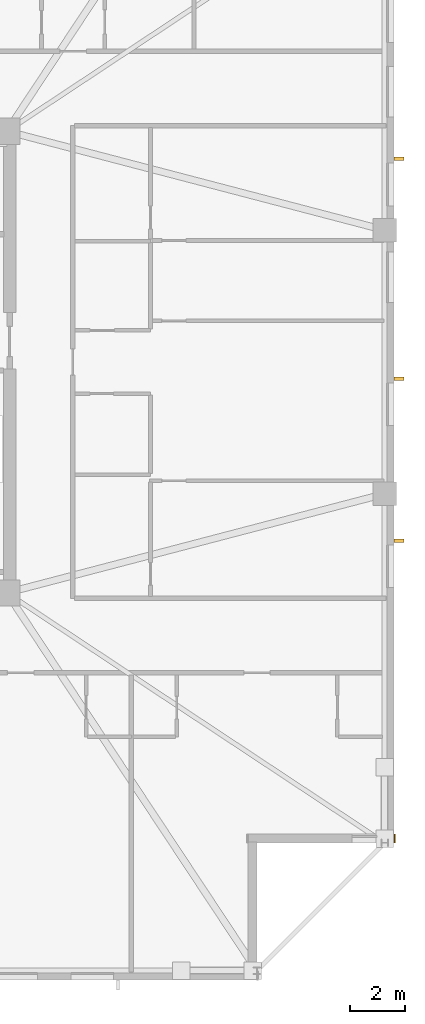
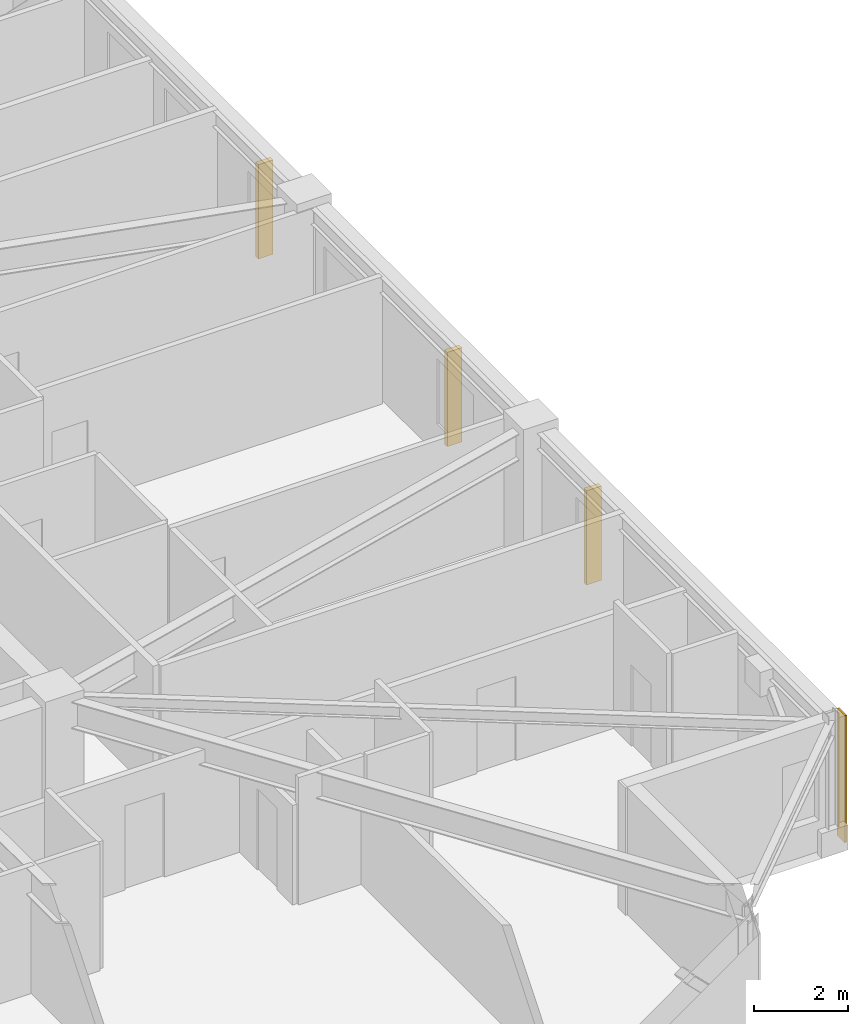
# One storey, part 15 of 17: 3 shading devices, 1 covering.
"""IFC4 building model written with IfcOpenShell, lengths in metres."""

from ifc_helpers import new_model, si_unit, direction, frame, frame_2d, origin, origin_2d, place, context, subcontext, project, spatial, rectangle, extrude, material, layer, layer_set, type_object, element, save


model = new_model("IFC4")

# Units and contexts
model_context = context("Model", 3, precision=1e-05, world=origin(), true_north=direction((0.0, 1.0)))
body_context = subcontext(model_context, "Body", "Model", "MODEL_VIEW")
ifc_project = project(units=[si_unit("LENGTHUNIT", "METRE"), si_unit("AREAUNIT", "SQUARE_METRE"), si_unit("VOLUMEUNIT", "CUBIC_METRE"), si_unit("PLANEANGLEUNIT", "RADIAN"), si_unit("MASSUNIT", "GRAM", prefix="KILO")], contexts=[model_context])

# Site, building, storey
site_placement = place(None, origin())
site = spatial("IfcSite", under=ifc_project, at=site_placement, CompositionType="ELEMENT")
building_placement = place(site_placement, origin())
building = spatial("IfcBuilding", under=site, at=building_placement, Name="Cairnveth Concourse Tower", CompositionType="ELEMENT")
storey_placement = place(building_placement, frame((0.0, 0.0, 213.0)))
storey = spatial("IfcBuildingStorey", under=building, at=storey_placement, Name="L58", CompositionType="ELEMENT", Elevation=213.0)

# Covering
ifc_material_1 = material(Name="Dressed Melbourne Bluestone Cladding", Category="masonry")
ifc_layer = layer(ifc_material_1, 0.050048828125)
ifc_layer_set = layer_set([ifc_layer], Name="Dressed Melbourne Bluestone Cladding")
covering_type = type_object("IfcCoveringType", Name="DRESSED BLUESTONE PLINTH CLADDING 50", PredefinedType="CLADDING", material=ifc_layer_set)
covering_placement = place(storey_placement, frame((74.52001953125, 21.820068359375, 0.0), z_axis=(0.0, 0.0, 1.0), x_axis=(0.0, -1.0, 0.0)))
element("IfcCovering", 1, at=covering_placement, inside=storey, type_object=covering_type, Name="Melbourne Bluestone Corner Quoin L58-867", PredefinedType="CLADDING", context=body_context, shape_type="SweptSolid", body=[
    extrude(rectangle(XDim=0.320068359375, YDim=0.050048828125, at=frame_2d((0.16015625, 0.0))), origin(), (0.0, 0.0, 1.0), 3.2900390625),
])

# Shading devices
ifc_material_2 = material(Name="Architectural Bronze Anodised Aluminium 6063-T6", Category="aluminium")
shading_device_type = type_object("IfcShadingDeviceType", Name="GOTHIC BRONZE VERTICAL LANCET FIN", PredefinedType="USERDEFINED", material=ifc_material_2)
for number, where, z_axis, x_axis, name in (
    (2, (74.675048828125, 46.39697265625, 0.030029296875), (0.0, 0.0, 1.0), (0.0, 1.0, 0.0), "Gothic Bronze Vertical Fin L58-3-3"),
    (3, (74.675048828125, 38.396484375, 0.030029296875), (0.0, 0.0, 1.0), (0.0, 1.0, 0.0), "Gothic Bronze Vertical Fin L58-3-5"),
    (4, (74.675048828125, 32.495849609375, 0.030029296875), (0.0, 0.0, 1.0), (0.0, 1.0, 0.0), "Gothic Bronze Vertical Fin L58-3-7"),
):
    element("IfcShadingDevice", number, at=place(storey_placement, frame(where, z_axis=z_axis, x_axis=x_axis)), inside=storey, type_object=shading_device_type, Name=name, ObjectType="VERTICAL FIN", PredefinedType="USERDEFINED", context=body_context, shape_type="SweptSolid", body=[
        extrude(rectangle(XDim=0.1201171875, YDim=0.360107421875, at=origin_2d()), origin(), (0.0, 0.0, 1.0), 2.43798828125),
    ])

save(model, "model.ifc")
